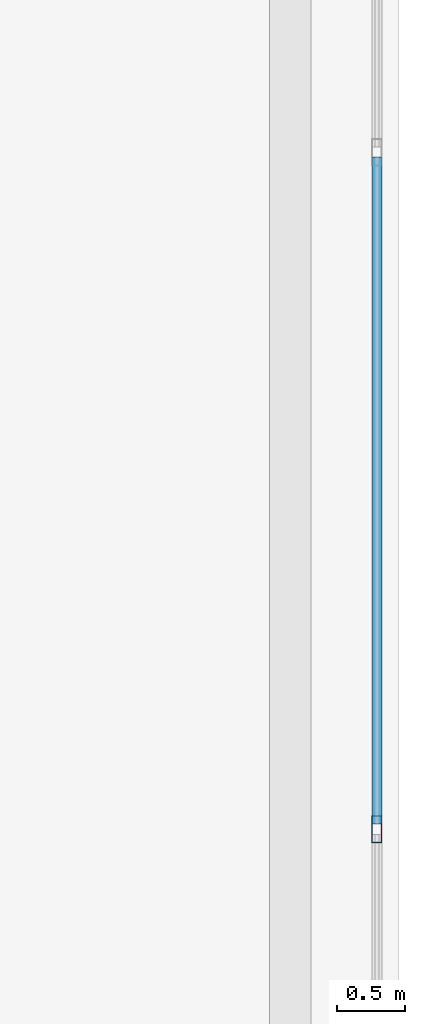
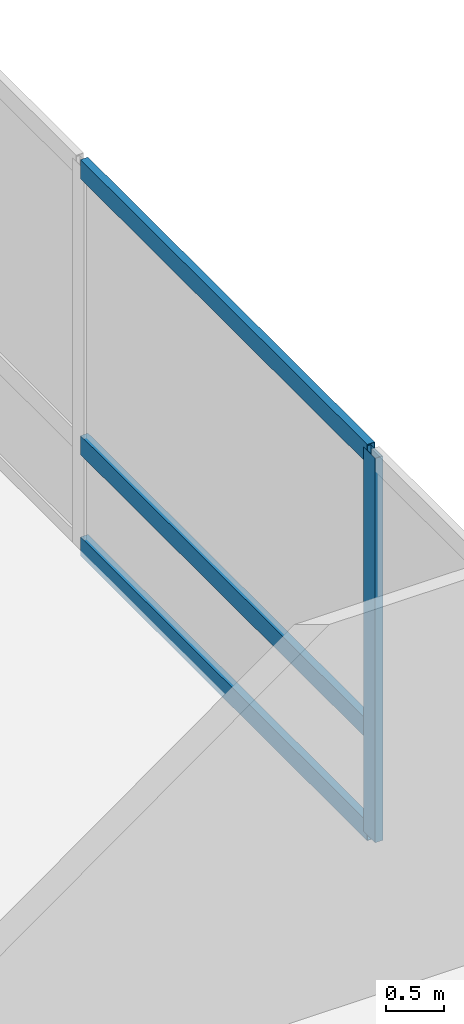
# One storey, part 18 of 31: 4 members, 1 element without a shape of its own.
"""IFC4 building model written with IfcOpenShell, lengths in metres."""

from ifc_helpers import new_model, si_unit, direction, frame, origin, origin_2d, place, context, subcontext, project, spatial, hollow_rectangle, extrude, material, layer, layer_set, material_profile, profile_set, type_object, element, aggregate, save


model = new_model("IFC4")

# Units and contexts
model_context = context("Model", 3, precision=1e-05, world=origin(), true_north=direction((0.0, 1.0)))
body_context = subcontext(model_context, "Body", "Model", "MODEL_VIEW")
ifc_project = project(units=[si_unit("LENGTHUNIT", "METRE"), si_unit("AREAUNIT", "SQUARE_METRE"), si_unit("VOLUMEUNIT", "CUBIC_METRE"), si_unit("PLANEANGLEUNIT", "RADIAN"), si_unit("MASSUNIT", "GRAM", prefix="KILO")], contexts=[model_context])

# Site, building, storey
site_placement = place(None, origin())
site = spatial("IfcSite", under=ifc_project, at=site_placement, CompositionType="ELEMENT")
building_placement = place(site_placement, origin())
building = spatial("IfcBuilding", under=site, at=building_placement, Name="Varnelok Gate Tower", CompositionType="ELEMENT")
storey_placement = place(building_placement, frame((0.0, 0.0, 16.199951171875)))
storey = spatial("IfcBuildingStorey", under=building, at=storey_placement, Name="L03", CompositionType="ELEMENT", Elevation=16.199951171875)

# Curtain wall, members
ifc_material = material(Name="Anodized Aluminum Alloy 6063-T6", Category="aluminium")
ifc_layer = layer(ifc_material, 0.179931640625)
ifc_layer_set = layer_set([ifc_layer], Name="Anodized Aluminum Alloy 6063-T6")
curtain_wall_type = type_object("IfcCurtainWallType", Name="CW1-ARCH-PORTAL", PredefinedType="USERDEFINED", material=ifc_layer_set)
curtain_wall_placement = place(storey_placement, origin())
curtain_wall = element("IfcCurtainWall", 1, at=curtain_wall_placement, inside=storey, type_object=curtain_wall_type, Name="L03 Podium Portal Curtain Wall E", ObjectType="UNITISED CURTAIN WALL", PredefinedType="USERDEFINED")
ifc_material_profile_1 = material_profile(ifc_material, hollow_rectangle(XDim=0.074951171875, YDim=0.199951171875, WallThickness=0.00390625, at=origin_2d()), Name="ALU200X75X4")
ifc_profile_set_1 = profile_set([ifc_material_profile_1], Name="Anodized Aluminum Alloy 6063-T6")
member_type_1 = type_object("IfcMemberType", Name="CW-MULL-200", PredefinedType="MULLION", material=ifc_profile_set_1)
member_1_placement = place(storey_placement, frame((78.239990234375, 20.199951171875, 0.0), z_axis=(0.0, 0.0, 1.0), x_axis=(1.0, 0.0, 0.0)))
member_1 = element("IfcMember", 2, at=member_1_placement, type_object=member_type_1, Name="CW1 mullion 4", PredefinedType="MULLION", context=body_context, shape_type="SweptSolid", body=[
    extrude(hollow_rectangle(XDim=0.074951171875, YDim=0.199951171875, WallThickness=0.00390625, at=origin_2d()), origin(), (0.0, 0.0, 1.0), 4.030029296875),
])
ifc_material_profile_2 = material_profile(ifc_material, hollow_rectangle(XDim=0.074951171875, YDim=0.199951171875, WallThickness=0.00390625, at=origin_2d()), Name="ALU200X75X4")
ifc_profile_set_2 = profile_set([ifc_material_profile_2], Name="Anodized Aluminum Alloy 6063-T6")
member_type_2 = type_object("IfcMemberType", Name="CW-TRAN-200", PredefinedType="USERDEFINED", material=ifc_profile_set_2)
member_2_placement = place(storey_placement, frame((78.239990234375, 25.16259765625, 0.03759765625), z_axis=(0.0, -1.0, 0.0), x_axis=(1.0, 0.0, 0.0)))
member_2 = element("IfcMember", 3, at=member_2_placement, type_object=member_type_2, Name="CW1 transom 3.1", ObjectType="TRANSOM", PredefinedType="USERDEFINED", context=body_context, shape_type="SweptSolid", body=[
    extrude(hollow_rectangle(XDim=0.074951171875, YDim=0.199951171875, WallThickness=0.00390625, at=origin_2d()), origin(), (0.0, 0.0, 1.0), 4.925048828125),
])
member_3_placement = place(storey_placement, frame((78.239990234375, 25.16259765625, 1.10009765625), z_axis=(0.0, -1.0, 0.0), x_axis=(1.0, 0.0, 0.0)))
member_3 = element("IfcMember", 4, at=member_3_placement, type_object=member_type_2, Name="CW1 transom 3.2", ObjectType="TRANSOM", PredefinedType="USERDEFINED", context=body_context, shape_type="SweptSolid", body=[
    extrude(hollow_rectangle(XDim=0.074951171875, YDim=0.199951171875, WallThickness=0.00390625, at=origin_2d()), origin(), (0.0, 0.0, 1.0), 4.925048828125),
])
member_4_placement = place(storey_placement, frame((78.239990234375, 25.16259765625, 3.992431640625), z_axis=(0.0, -1.0, 0.0), x_axis=(1.0, 0.0, 0.0)))
member_4 = element("IfcMember", 5, at=member_4_placement, type_object=member_type_2, Name="CW1 transom 3.3", ObjectType="TRANSOM", PredefinedType="USERDEFINED", context=body_context, shape_type="SweptSolid", body=[
    extrude(hollow_rectangle(XDim=0.074951171875, YDim=0.199951171875, WallThickness=0.00390625, at=origin_2d()), origin(), (0.0, 0.0, 1.0), 4.925048828125),
])
aggregate(curtain_wall, [member_1, member_2, member_3, member_4])

save(model, "model.ifc")
